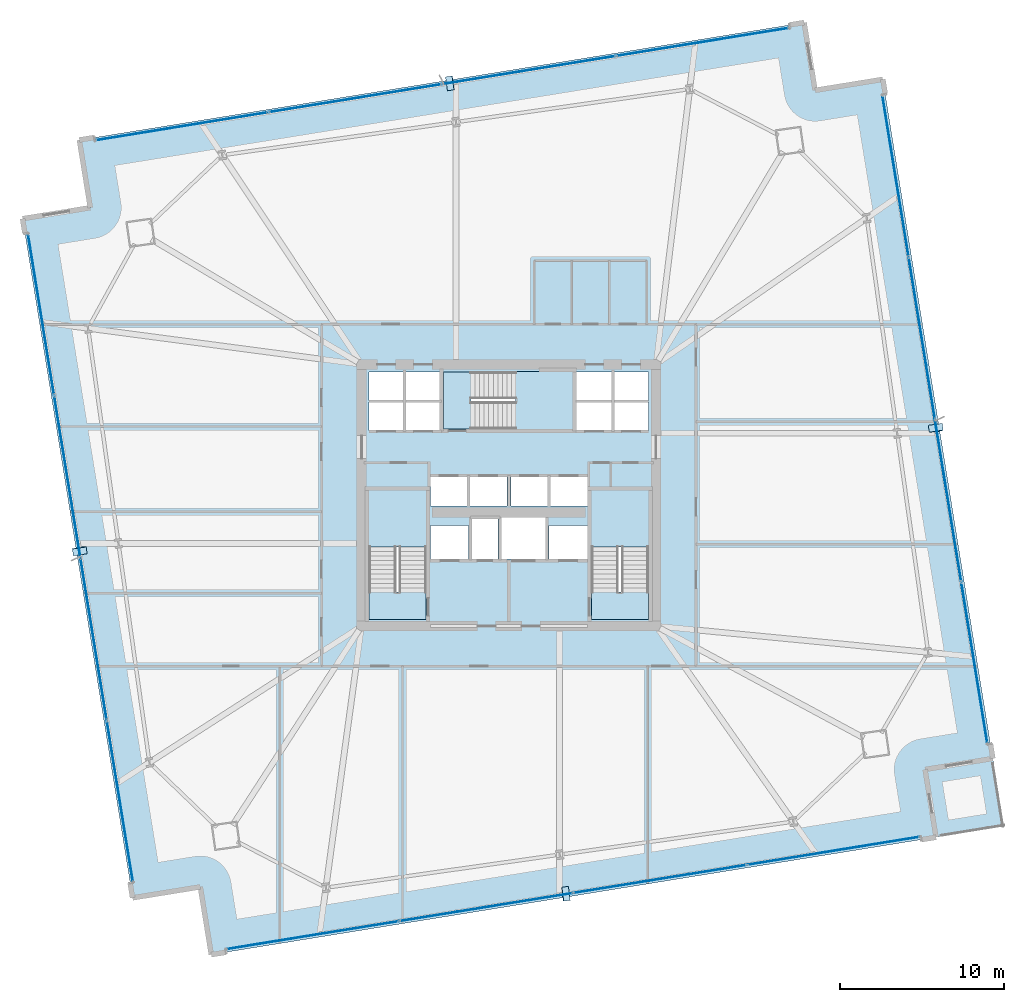
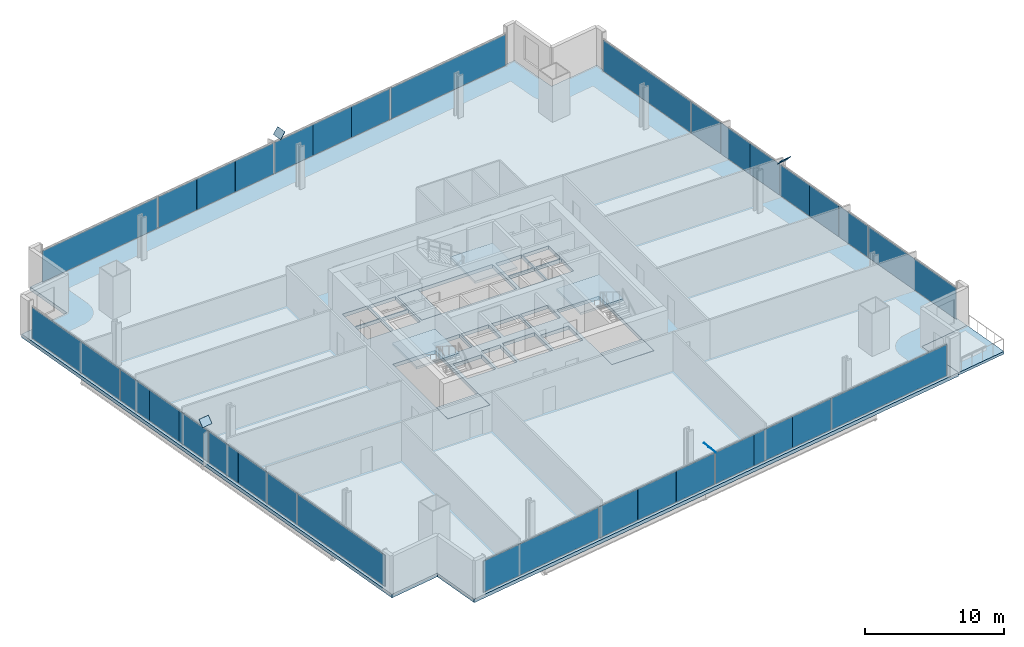
# One storey, part 24 of 33: 36 plates, 8 slabs, 7 elements without a shape of their own.
"""IFC4 building model written with IfcOpenShell, lengths in metres."""

from ifc_helpers import new_model, si_unit, direction, frame, origin, origin_2d, place, context, subcontext, project, spatial, polyline, rectangle, outline, extrude, source, transform, mapped, material, layer, layer_set, type_object, element, aggregate, save


model = new_model("IFC4")

# Units and contexts
model_context = context("Model", 3, precision=1e-05, world=origin(), true_north=direction((0.0, 1.0)))
body_context = subcontext(model_context, "Body", "Model", "MODEL_VIEW")
ifc_project = project(units=[si_unit("LENGTHUNIT", "METRE"), si_unit("AREAUNIT", "SQUARE_METRE"), si_unit("VOLUMEUNIT", "CUBIC_METRE"), si_unit("PLANEANGLEUNIT", "RADIAN"), si_unit("MASSUNIT", "GRAM", prefix="KILO")], contexts=[model_context])

# Site, building, storey
site_placement = place(None, origin())
site = spatial("IfcSite", under=ifc_project, at=site_placement, CompositionType="ELEMENT")
building_placement = place(site_placement, origin())
building = spatial("IfcBuilding", under=site, at=building_placement, Name="Haldenkirk Collegiate Tower", CompositionType="ELEMENT")
storey_placement = place(building_placement, frame((0.0, 0.0, 58.949951171875)))
storey = spatial("IfcBuildingStorey", under=building, at=storey_placement, Name="L13", CompositionType="ELEMENT", Elevation=58.949951171875)

# Slab
ifc_material_1 = material(Name="Concrete f'c 40 MPa", Category="concrete")
ifc_layer_1 = layer(ifc_material_1, 0.31005859375)
ifc_layer_set_1 = layer_set([ifc_layer_1], Name="Concrete f'c 40 MPa")
slab_type_1 = type_object("IfcSlabType", Name="SLB-FLR-310", PredefinedType="FLOOR", material=ifc_layer_set_1)
slab_1_placement = place(storey_placement, frame((0.0, 0.0, -0.31005859375)))
element("IfcSlab", 1, at=slab_1_placement, inside=storey, type_object=slab_type_1, Name="L13 composite structural floor slab", PredefinedType="FLOOR", context=body_context, shape_type="SweptSolid", body=[
    extrude(outline(polyline([(17.807861328125, -2.094970703125), (62.13037109375, 5.083740234375), (61.458740234375, 9.2294921875), (65.604736328125, 9.901123046875), (58.877685546875, 51.434814453125), (54.731689453125, 50.763427734375), (54.060302734375, 54.909423828125), (9.73779296875, 47.730712890625), (10.4091796875, 43.584716796875), (6.263427734375, 42.9130859375), (12.990478515625, 1.37939453125), (17.13623046875, 2.051025390625), (17.807861328125, -2.094970703125)]), holes=[polyline([(27.449951171875, 18.39990234375), (30.949951171875, 18.39990234375), (30.949951171875, 26.300048828125), (27.449951171875, 26.300048828125), (27.449951171875, 18.39990234375)]), polyline([(41.050048828125, 18.39990234375), (44.550048828125, 18.39990234375), (44.550048828125, 26.300048828125), (41.050048828125, 26.300048828125), (41.050048828125, 18.39990234375)]), polyline([(32.0, 30.050048828125), (39.89990234375, 30.050048828125), (39.89990234375, 33.550048828125), (32.0, 33.550048828125), (32.0, 30.050048828125)]), polyline([(33.75, 22.10009765625), (35.35009765625, 22.10009765625), (35.35009765625, 24.550048828125), (33.75, 24.550048828125), (33.75, 22.10009765625)]), polyline([(27.449951171875, 29.949951171875), (29.580078125, 29.949951171875), (29.580078125, 31.699951171875), (27.449951171875, 31.699951171875), (27.449951171875, 29.949951171875)]), polyline([(29.679931640625, 29.949951171875), (31.85009765625, 29.949951171875), (31.85009765625, 31.699951171875), (29.679931640625, 31.699951171875), (29.679931640625, 29.949951171875)]), polyline([(27.449951171875, 31.800048828125), (29.580078125, 31.800048828125), (29.580078125, 33.550048828125), (27.449951171875, 33.550048828125), (27.449951171875, 31.800048828125)]), polyline([(29.679931640625, 31.800048828125), (31.85009765625, 31.800048828125), (31.85009765625, 33.550048828125), (29.679931640625, 33.550048828125), (29.679931640625, 31.800048828125)]), polyline([(40.14990234375, 29.949951171875), (42.320068359375, 29.949951171875), (42.320068359375, 31.699951171875), (40.14990234375, 31.699951171875), (40.14990234375, 29.949951171875)]), polyline([(42.419921875, 29.949951171875), (44.550048828125, 29.949951171875), (44.550048828125, 31.699951171875), (42.419921875, 31.699951171875), (42.419921875, 29.949951171875)]), polyline([(40.14990234375, 31.800048828125), (42.320068359375, 31.800048828125), (42.320068359375, 33.550048828125), (40.14990234375, 33.550048828125), (40.14990234375, 31.800048828125)]), polyline([(42.419921875, 31.800048828125), (44.550048828125, 31.800048828125), (44.550048828125, 33.550048828125), (42.419921875, 33.550048828125), (42.419921875, 31.800048828125)]), polyline([(31.199951171875, 25.35009765625), (33.47998046875, 25.35009765625), (33.47998046875, 27.14990234375), (31.199951171875, 27.14990234375), (31.199951171875, 25.35009765625)]), polyline([(33.60009765625, 25.35009765625), (35.8798828125, 25.35009765625), (35.8798828125, 27.14990234375), (33.60009765625, 27.14990234375), (33.60009765625, 25.35009765625)]), polyline([(36.1201171875, 25.35009765625), (38.39990234375, 25.35009765625), (38.39990234375, 27.14990234375), (36.1201171875, 27.14990234375), (36.1201171875, 25.35009765625)]), polyline([(38.52001953125, 25.35009765625), (40.800048828125, 25.35009765625), (40.800048828125, 27.14990234375), (38.52001953125, 27.14990234375), (38.52001953125, 25.35009765625)]), polyline([(31.199951171875, 22.10009765625), (33.550048828125, 22.10009765625), (33.550048828125, 24.14990234375), (31.199951171875, 24.14990234375), (31.199951171875, 22.10009765625)]), polyline([(38.449951171875, 22.10009765625), (40.800048828125, 22.10009765625), (40.800048828125, 24.14990234375), (38.449951171875, 24.14990234375), (38.449951171875, 22.10009765625)]), polyline([(35.550048828125, 22.10009765625), (38.25, 22.10009765625), (38.25, 24.64990234375), (35.550048828125, 24.64990234375), (35.550048828125, 22.10009765625)])]), origin(), (0.0, 0.0, 1.0), 0.31005859375),
])

# Stair, slab
stair_type = type_object("IfcStairType", Name="STR-DOGLEG-1650", PredefinedType="HALF_TURN_STAIR", material=ifc_material_1)
stair_1_placement = place(storey_placement, origin())
stair_1 = element("IfcStair", 2, at=stair_1_placement, inside=storey, type_object=stair_type, Name="L13 Core Exit Stair ST-1", PredefinedType="HALF_TURN_STAIR")
ifc_layer_2 = layer(ifc_material_1, 0.199951171875)
ifc_layer_set_2 = layer_set([ifc_layer_2], Name="Concrete f'c 40 MPa")
slab_type_2 = type_object("IfcSlabType", Name="SLB-LANDING-200", PredefinedType="LANDING", material=ifc_layer_set_2)
slab_2_placement = place(storey_placement, frame((0.0, 0.0, 1.675048828125)))
slab_2 = element("IfcSlab", 3, at=slab_2_placement, type_object=slab_type_2, Name="ST-1 landing 1", PredefinedType="LANDING", context=body_context, shape_type="SweptSolid", body=[
    extrude(outline(polyline([(30.97509765625, 22.824951171875), (27.425048828125, 22.824951171875), (27.425048828125, 26.324951171875), (30.97509765625, 26.324951171875), (30.97509765625, 22.824951171875)])), origin(), (0.0, 0.0, 1.0), 0.199951171875),
])
aggregate(stair_1, [slab_2])

stair_2_placement = place(storey_placement, origin())
stair_2 = element("IfcStair", 4, at=stair_2_placement, inside=storey, type_object=stair_type, Name="L13 Core Exit Stair ST-2", PredefinedType="HALF_TURN_STAIR")
slab_3_placement = place(storey_placement, frame((0.0, 0.0, 1.675048828125)))
slab_3 = element("IfcSlab", 5, at=slab_3_placement, type_object=slab_type_2, Name="ST-2 landing 1", PredefinedType="LANDING", context=body_context, shape_type="SweptSolid", body=[
    extrude(outline(polyline([(44.574951171875, 22.824951171875), (41.02490234375, 22.824951171875), (41.02490234375, 26.324951171875), (44.574951171875, 26.324951171875), (44.574951171875, 22.824951171875)])), origin(), (0.0, 0.0, 1.0), 0.199951171875),
])
aggregate(stair_2, [slab_3])

stair_3_placement = place(storey_placement, origin())
stair_3 = element("IfcStair", 6, at=stair_3_placement, inside=storey, type_object=stair_type, Name="L13 Core Exit Stair ST-3", PredefinedType="HALF_TURN_STAIR")
slab_4_placement = place(storey_placement, frame((0.0, 0.0, 1.675048828125)))
slab_4 = element("IfcSlab", 7, at=slab_4_placement, type_object=slab_type_2, Name="ST-3 landing 1", PredefinedType="LANDING", context=body_context, shape_type="SweptSolid", body=[
    extrude(outline(polyline([(36.425048828125, 30.02490234375), (36.425048828125, 33.574951171875), (39.925048828125, 33.574951171875), (39.925048828125, 30.02490234375), (36.425048828125, 30.02490234375)])), origin(), (0.0, 0.0, 1.0), 0.199951171875),
])
aggregate(stair_3, [slab_4])

# Slabs
ifc_layer_3 = layer(ifc_material_1, 0.25)
ifc_layer_set_3 = layer_set([ifc_layer_3], Name="Concrete f'c 40 MPa")
slab_type_3 = type_object("IfcSlabType", Name="SLB-STAIRLAND-250", PredefinedType="LANDING", material=ifc_layer_set_3)
slab_5_placement = place(storey_placement, frame((0.0, 0.0, -0.25)))
element("IfcSlab", 8, at=slab_5_placement, inside=storey, type_object=slab_type_3, Name="L13 stair ST1 structural floor landing slab", PredefinedType="LANDING", context=body_context, shape_type="SweptSolid", body=[
    extrude(outline(polyline([(27.4599609375, 18.409912109375), (30.93994140625, 18.409912109375), (30.93994140625, 20.080078125), (27.4599609375, 20.080078125), (27.4599609375, 18.409912109375)])), origin(), (0.0, 0.0, 1.0), 0.25),
])
slab_6_placement = place(storey_placement, frame((0.0, 0.0, -0.25)))
element("IfcSlab", 9, at=slab_6_placement, inside=storey, type_object=slab_type_3, Name="L13 stair ST2 structural floor landing slab", PredefinedType="LANDING", context=body_context, shape_type="SweptSolid", body=[
    extrude(outline(polyline([(41.06005859375, 18.409912109375), (44.5400390625, 18.409912109375), (44.5400390625, 20.080078125), (41.06005859375, 20.080078125), (41.06005859375, 18.409912109375)])), origin(), (0.0, 0.0, 1.0), 0.25),
])
slab_7_placement = place(storey_placement, frame((0.0, 0.0, -0.25)))
element("IfcSlab", 10, at=slab_7_placement, inside=storey, type_object=slab_type_3, Name="L13 stair ST3 structural floor landing slab", PredefinedType="LANDING", context=body_context, shape_type="SweptSolid", body=[
    extrude(outline(polyline([(32.010009765625, 30.06005859375), (33.679931640625, 30.06005859375), (33.679931640625, 33.5400390625), (32.010009765625, 33.5400390625), (32.010009765625, 30.06005859375)])), origin(), (0.0, 0.0, 1.0), 0.25),
])
ifc_layer_4 = layer(ifc_material_1, 0.22998046875)
ifc_layer_set_4 = layer_set([ifc_layer_4], Name="Concrete f'c 40 MPa")
slab_type_4 = type_object("IfcSlabType", Name="SLB-TERR-SPIRAL-230", PredefinedType="FLOOR", material=ifc_layer_set_4)
slab_8_placement = place(storey_placement, frame((0.0, 0.0, -0.22998046875)))
element("IfcSlab", 11, at=slab_8_placement, inside=storey, type_object=slab_type_4, Name="L13 spiralling corner terrace slab", PredefinedType="FLOOR", context=body_context, shape_type="SweptSolid", body=[
    extrude(outline(polyline([(62.13037109375, 5.083740234375), (66.276123046875, 5.755126953125), (65.604736328125, 9.901123046875), (61.458740234375, 9.2294921875), (62.13037109375, 5.083740234375)])), origin(), (0.0, 0.0, 1.0), 0.22998046875),
])

# Plates
ifc_material_2 = material(Name="Steel ASTM A572 Grade 50", Category="steel")
ifc_layer_5 = layer(ifc_material_2, 0.034912109375)
ifc_layer_set_5 = layer_set([ifc_layer_5], Name="Steel ASTM A572 Grade 50")
plate_type_1 = type_object("IfcPlateType", Name="PLT-CAP-EXT-760X600", PredefinedType="USERDEFINED", material=ifc_layer_set_5)
shared_shape_1 = source(origin(), body_context, "Body", "SweptSolid", [
    extrude(rectangle(XDim=0.860107421875, YDim=0.659912109375, at=origin_2d()), origin(), (0.0, 0.0, 1.0), 0.034912109375),
])
for number, where, z_axis, x_axis, name in (
    (12, (39.476318359375, 1.623291015625, 3.42822265625), (0.783543910505, 0.103709988154, 0.612619930028), (-0.131215459575, 0.991353873835, -3.65967e-07), "Perimeter Mega Brace Z1 L11-L13 SL end cap plate 2"),
    (13, (62.1181640625, 30.101318359375, 3.42822265625), (-0.112517973701, 0.760023822359, 0.640080850394), (-0.989218208504, -0.146449090011, -4.8741e-08), "Perimeter Mega Brace Z1 L11-L13 EL end cap plate 2"),
    (14, (32.415771484375, 51.196044921875, 3.42822265625), (-0.782214812884, -0.113088972948, 0.612658853444), (0.143087420195, -0.989710053592, -3.16429e-07), "Perimeter Mega Brace Z1 L11-L13 NL end cap plate 2"),
    (15, (9.755126953125, 22.5927734375, 3.42822265625), (0.110115944435, -0.760269616366, 0.64020667695), (0.989673186769, 0.143342189846, -1.34269e-07), "Perimeter Mega Brace Z1 L11-L13 WL end cap plate 2"),
):
    element("IfcPlate", number, at=place(storey_placement, frame(where, z_axis=z_axis, x_axis=x_axis)), inside=storey, type_object=plate_type_1, Name=name, ObjectType="END CAP PLATE", PredefinedType="USERDEFINED", context=body_context, shape_type="MappedRepresentation", body=[
        mapped(shared_shape_1, transform((0.0, 0.0, 0.0), x_axis=(1.0, 0.0, 0.0), y_axis=(0.0, 1.0, 0.0), z_axis=(0.0, 0.0, 1.0), scale=1.0)),
    ])

# Curtain wall, plates
ifc_material_3 = material(Name="Anodised architectural bronze aluminium", Category="aluminium")
curtain_wall_type_1 = type_object("IfcCurtainWallType", Name="CW-SYS2-CONCAVE", PredefinedType="USERDEFINED", material=ifc_material_3)
curtain_wall_1_placement = place(storey_placement, origin())
curtain_wall_1 = element("IfcCurtainWall", 16, at=curtain_wall_1_placement, inside=storey, type_object=curtain_wall_type_1, Name="L13 South concave recessed bronze-anodised curtain wall", ObjectType="UNITISED CURTAIN WALL", PredefinedType="USERDEFINED")
ifc_material_4 = material(Name="Low-E argon triple insulating glass", Category="glass")
ifc_layer_6 = layer(ifc_material_4, 0.0419921875)
ifc_layer_set_6 = layer_set([ifc_layer_6], Name="Low-E argon triple insulating glass")
plate_type_2 = type_object("IfcPlateType", Name="CW-PNL-02", PredefinedType="CURTAIN_PANEL", material=ifc_layer_set_6)
shared_shape_2 = source(origin(), body_context, "Body", "SweptSolid", [
    extrude(rectangle(XDim=10.66259765625, YDim=0.0419921875, at=origin_2d()), origin(), (0.0, 0.0, 1.0), 2.740966796875),
])
plate_1_placement = place(storey_placement, frame((55.87646484375, 4.253173828125, 0.0751953125), z_axis=(0.0, 0.0, 1.0), x_axis=(-0.987136264177, -0.159881193222, 0.0)))
plate_1 = element("IfcPlate", 17, at=plate_1_placement, type_object=plate_type_2, Name="CW-02 panel 1.1", PredefinedType="CURTAIN_PANEL", context=body_context, shape_type="MappedRepresentation", body=[
    mapped(shared_shape_2, transform((0.0, 0.0, 0.0), x_axis=(1.0, 0.0, 0.0), y_axis=(0.0, 1.0, 0.0), z_axis=(0.0, 0.0, 1.0), scale=1.0)),
])
plate_2_placement = place(storey_placement, frame((24.004150390625, -0.908935546875, 0.0751953125), z_axis=(0.0, 0.0, 1.0), x_axis=(-0.987136264177, -0.159881193222, 0.0)))
plate_2 = element("IfcPlate", 18, at=plate_2_placement, type_object=plate_type_2, Name="CW-02 panel 4.1", PredefinedType="CURTAIN_PANEL", context=body_context, shape_type="MappedRepresentation", body=[
    mapped(shared_shape_2, transform((0.0, 0.0, 0.0), x_axis=(1.0, 0.0, 0.0), y_axis=(0.0, 1.0, 0.0), z_axis=(0.0, 0.0, 1.0), scale=1.0)),
])
shared_shape_3 = source(origin(), body_context, "Body", "SweptSolid", [
    extrude(rectangle(XDim=3.55419921875, YDim=0.0419921875, at=origin_2d()), origin(), (0.0, 0.0, 1.0), 2.740966796875),
])
plate_3_placement = place(storey_placement, frame((48.785400390625, 3.104736328125, 0.0751953125), z_axis=(0.0, 0.0, 1.0), x_axis=(-0.987136264177, -0.159881193222, 0.0)))
plate_3 = element("IfcPlate", 19, at=plate_3_placement, type_object=plate_type_2, Name="CW-02 panel 2.1a", PredefinedType="CURTAIN_PANEL", context=body_context, shape_type="MappedRepresentation", body=[
    mapped(shared_shape_3, transform((0.0, 0.0, 0.0), x_axis=(1.0, 0.0, 0.0), y_axis=(0.0, 1.0, 0.0), z_axis=(0.0, 0.0, 1.0), scale=1.0)),
])
ifc_material_5 = material(Name="Bronze-anodised insulated aluminium spandrel panel", Category="aluminium")
ifc_layer_7 = layer(ifc_material_5, 0.0419921875)
ifc_layer_set_7 = layer_set([ifc_layer_7], Name="Bronze-anodised insulated aluminium spandrel panel")
plate_type_3 = type_object("IfcPlateType", Name="CW-SPD-02", PredefinedType="CURTAIN_PANEL", material=ifc_layer_set_7)
plate_4_placement = place(storey_placement, frame((41.7314453125, 1.962158203125, 0.0751953125), z_axis=(0.0, 0.0, 1.0), x_axis=(-0.987136264177, -0.159881193222, 0.0)))
plate_4 = element("IfcPlate", 20, at=plate_4_placement, type_object=plate_type_3, Name="CW-02 spandrel panel 2.1c", PredefinedType="CURTAIN_PANEL", context=body_context, shape_type="MappedRepresentation", body=[
    mapped(shared_shape_3, transform((0.0, 0.0, 0.0), x_axis=(1.0, 0.0, 0.0), y_axis=(0.0, 1.0, 0.0), z_axis=(0.0, 0.0, 1.0), scale=1.0)),
])
plate_5_placement = place(storey_placement, frame((38.14892578125, 1.3818359375, 0.0751953125), z_axis=(0.0, 0.0, 1.0), x_axis=(-0.987136264177, -0.159881193222, 0.0)))
plate_5 = element("IfcPlate", 21, at=plate_5_placement, type_object=plate_type_3, Name="CW-02 spandrel panel 3.1a", PredefinedType="CURTAIN_PANEL", context=body_context, shape_type="MappedRepresentation", body=[
    mapped(shared_shape_3, transform((0.0, 0.0, 0.0), x_axis=(1.0, 0.0, 0.0), y_axis=(0.0, 1.0, 0.0), z_axis=(0.0, 0.0, 1.0), scale=1.0)),
])
plate_6_placement = place(storey_placement, frame((31.09521484375, 0.239501953125, 0.0751953125), z_axis=(0.0, 0.0, 1.0), x_axis=(-0.987136264177, -0.159881193222, 0.0)))
plate_6 = element("IfcPlate", 22, at=plate_6_placement, type_object=plate_type_2, Name="CW-02 panel 3.1c", PredefinedType="CURTAIN_PANEL", context=body_context, shape_type="MappedRepresentation", body=[
    mapped(shared_shape_3, transform((0.0, 0.0, 0.0), x_axis=(1.0, 0.0, 0.0), y_axis=(0.0, 1.0, 0.0), z_axis=(0.0, 0.0, 1.0), scale=1.0)),
])
shared_shape_4 = source(origin(), body_context, "Body", "SweptSolid", [
    extrude(rectangle(XDim=3.541748046875, YDim=0.0419921875, at=origin_2d()), origin(), (0.0, 0.0, 1.0), 2.740966796875),
])
plate_7_placement = place(storey_placement, frame((45.258544921875, 2.533447265625, 0.0751953125), z_axis=(0.0, 0.0, 1.0), x_axis=(-0.987136264177, -0.159881193222, 0.0)))
plate_7 = element("IfcPlate", 23, at=plate_7_placement, type_object=plate_type_3, Name="CW-02 spandrel panel 2.1b", PredefinedType="CURTAIN_PANEL", context=body_context, shape_type="MappedRepresentation", body=[
    mapped(shared_shape_4, transform((0.0, 0.0, 0.0), x_axis=(1.0, 0.0, 0.0), y_axis=(0.0, 1.0, 0.0), z_axis=(0.0, 0.0, 1.0), scale=1.0)),
])
plate_8_placement = place(storey_placement, frame((34.6220703125, 0.810791015625, 0.0751953125), z_axis=(0.0, 0.0, 1.0), x_axis=(-0.987136264177, -0.159881193222, 0.0)))
plate_8 = element("IfcPlate", 24, at=plate_8_placement, type_object=plate_type_3, Name="CW-02 spandrel panel 3.1b", PredefinedType="CURTAIN_PANEL", context=body_context, shape_type="MappedRepresentation", body=[
    mapped(shared_shape_4, transform((0.0, 0.0, 0.0), x_axis=(1.0, 0.0, 0.0), y_axis=(0.0, 1.0, 0.0), z_axis=(0.0, 0.0, 1.0), scale=1.0)),
])
aggregate(curtain_wall_1, [plate_1, plate_3, plate_7, plate_4, plate_5, plate_8, plate_6, plate_2])

curtain_wall_type_2 = type_object("IfcCurtainWallType", Name="CW-SYS1-CONVEX-LOW", PredefinedType="USERDEFINED", material=ifc_material_3)
curtain_wall_2_placement = place(storey_placement, origin())
curtain_wall_2 = element("IfcCurtainWall", 25, at=curtain_wall_2_placement, inside=storey, type_object=curtain_wall_type_2, Name="L13 Lower tower convex bronze-framed unitised curtain wall", ObjectType="UNITISED CURTAIN WALL", PredefinedType="USERDEFINED")
ifc_layer_8 = layer(ifc_material_4, 0.0439453125)
ifc_layer_set_8 = layer_set([ifc_layer_8], Name="Low-E argon triple insulating glass")
plate_type_4 = type_object("IfcPlateType", Name="CW-PNL-1A", PredefinedType="CURTAIN_PANEL", material=ifc_layer_set_8)
shared_shape_5 = source(origin(), body_context, "Body", "SweptSolid", [
    extrude(rectangle(XDim=9.94873046875, YDim=0.0439453125, at=origin_2d()), origin(), (0.0, 0.0, 1.0), 2.73095703125),
])
plate_9_placement = place(storey_placement, frame((59.652099609375, 45.5283203125, 0.080078125), z_axis=(0.0, 0.0, 1.0), x_axis=(0.159880488152, -0.987136378374, 0.0)))
plate_9 = element("IfcPlate", 26, at=plate_9_placement, type_object=plate_type_4, Name="CW-1A panel 1.1", PredefinedType="CURTAIN_PANEL", context=body_context, shape_type="MappedRepresentation", body=[
    mapped(shared_shape_5, transform((0.0, 0.0, 0.0), x_axis=(1.0, 0.0, 0.0), y_axis=(0.0, 1.0, 0.0), z_axis=(0.0, 0.0, 1.0), scale=1.0)),
])
plate_10_placement = place(storey_placement, frame((64.47509765625, 15.75, 0.080078125), z_axis=(0.0, 0.0, 1.0), x_axis=(0.159880488152, -0.987136378374, 0.0)))
plate_10 = element("IfcPlate", 27, at=plate_10_placement, type_object=plate_type_4, Name="CW-1A panel 4.1", PredefinedType="CURTAIN_PANEL", context=body_context, shape_type="MappedRepresentation", body=[
    mapped(shared_shape_5, transform((0.0, 0.0, 0.0), x_axis=(1.0, 0.0, 0.0), y_axis=(0.0, 1.0, 0.0), z_axis=(0.0, 0.0, 1.0), scale=1.0)),
])

curtain_wall_3_placement = place(storey_placement, origin())
curtain_wall_3 = element("IfcCurtainWall", 28, at=curtain_wall_3_placement, inside=storey, type_object=curtain_wall_type_2, Name="L13 Lower tower convex bronze-framed unitised curtain wall", ObjectType="UNITISED CURTAIN WALL", PredefinedType="USERDEFINED")
plate_11_placement = place(storey_placement, frame((12.216064453125, 7.2861328125, 0.080078125), z_axis=(0.0, 0.0, 1.0), x_axis=(-0.15988088002, 0.987136314905, 0.0)))
plate_11 = element("IfcPlate", 29, at=plate_11_placement, type_object=plate_type_4, Name="CW-1A panel 1.1", PredefinedType="CURTAIN_PANEL", context=body_context, shape_type="MappedRepresentation", body=[
    mapped(shared_shape_5, transform((0.0, 0.0, 0.0), x_axis=(1.0, 0.0, 0.0), y_axis=(0.0, 1.0, 0.0), z_axis=(0.0, 0.0, 1.0), scale=1.0)),
])
plate_12_placement = place(storey_placement, frame((7.39306640625, 37.064208984375, 0.080078125), z_axis=(0.0, 0.0, 1.0), x_axis=(-0.15988088002, 0.987136314905, 0.0)))
plate_12 = element("IfcPlate", 30, at=plate_12_placement, type_object=plate_type_4, Name="CW-1A panel 4.1", PredefinedType="CURTAIN_PANEL", context=body_context, shape_type="MappedRepresentation", body=[
    mapped(shared_shape_5, transform((0.0, 0.0, 0.0), x_axis=(1.0, 0.0, 0.0), y_axis=(0.0, 1.0, 0.0), z_axis=(0.0, 0.0, 1.0), scale=1.0)),
])

# Plate
shared_shape_6 = source(origin(), body_context, "Body", "SweptSolid", [
    extrude(rectangle(XDim=3.317138671875, YDim=0.0439453125, at=origin_2d()), origin(), (0.0, 0.0, 1.0), 2.73095703125),
])
plate_13_placement = place(storey_placement, frame((60.725341796875, 38.90185546875, 0.080078125), z_axis=(0.0, 0.0, 1.0), x_axis=(0.159880488152, -0.987136378374, 0.0)))
plate_13 = element("IfcPlate", 31, at=plate_13_placement, type_object=plate_type_4, Name="CW-1A panel 2.1a", PredefinedType="CURTAIN_PANEL", context=body_context, shape_type="MappedRepresentation", body=[
    mapped(shared_shape_6, transform((0.0, 0.0, 0.0), x_axis=(1.0, 0.0, 0.0), y_axis=(0.0, 1.0, 0.0), z_axis=(0.0, 0.0, 1.0), scale=1.0)),
])

ifc_layer_9 = layer(ifc_material_5, 0.0439453125)
ifc_layer_set_9 = layer_set([ifc_layer_9], Name="Bronze-anodised insulated aluminium spandrel panel")
plate_type_5 = type_object("IfcPlateType", Name="CW-SPD-1A", PredefinedType="CURTAIN_PANEL", material=ifc_layer_set_9)
plate_14_placement = place(storey_placement, frame((61.7919921875, 32.31591796875, 0.080078125), z_axis=(0.0, 0.0, 1.0), x_axis=(0.159880488152, -0.987136378374, 0.0)))
plate_14 = element("IfcPlate", 32, at=plate_14_placement, type_object=plate_type_5, Name="CW-1A spandrel panel 2.1c", PredefinedType="CURTAIN_PANEL", context=body_context, shape_type="MappedRepresentation", body=[
    mapped(shared_shape_6, transform((0.0, 0.0, 0.0), x_axis=(1.0, 0.0, 0.0), y_axis=(0.0, 1.0, 0.0), z_axis=(0.0, 0.0, 1.0), scale=1.0)),
])

plate_15_placement = place(storey_placement, frame((62.335205078125, 28.96240234375, 0.080078125), z_axis=(0.0, 0.0, 1.0), x_axis=(0.159880488152, -0.987136378374, 0.0)))
plate_15 = element("IfcPlate", 33, at=plate_15_placement, type_object=plate_type_5, Name="CW-1A spandrel panel 3.1a", PredefinedType="CURTAIN_PANEL", context=body_context, shape_type="MappedRepresentation", body=[
    mapped(shared_shape_6, transform((0.0, 0.0, 0.0), x_axis=(1.0, 0.0, 0.0), y_axis=(0.0, 1.0, 0.0), z_axis=(0.0, 0.0, 1.0), scale=1.0)),
])

plate_16_placement = place(storey_placement, frame((63.401611328125, 22.376708984375, 0.080078125), z_axis=(0.0, 0.0, 1.0), x_axis=(0.159880488152, -0.987136378374, 0.0)))
plate_16 = element("IfcPlate", 34, at=plate_16_placement, type_object=plate_type_4, Name="CW-1A panel 3.1c", PredefinedType="CURTAIN_PANEL", context=body_context, shape_type="MappedRepresentation", body=[
    mapped(shared_shape_6, transform((0.0, 0.0, 0.0), x_axis=(1.0, 0.0, 0.0), y_axis=(0.0, 1.0, 0.0), z_axis=(0.0, 0.0, 1.0), scale=1.0)),
])

plate_17_placement = place(storey_placement, frame((11.142822265625, 13.91259765625, 0.080078125), z_axis=(0.0, 0.0, 1.0), x_axis=(-0.15988088002, 0.987136314905, 0.0)))
plate_17 = element("IfcPlate", 35, at=plate_17_placement, type_object=plate_type_4, Name="CW-1A panel 2.1a", PredefinedType="CURTAIN_PANEL", context=body_context, shape_type="MappedRepresentation", body=[
    mapped(shared_shape_6, transform((0.0, 0.0, 0.0), x_axis=(1.0, 0.0, 0.0), y_axis=(0.0, 1.0, 0.0), z_axis=(0.0, 0.0, 1.0), scale=1.0)),
])

plate_18_placement = place(storey_placement, frame((10.076171875, 20.49853515625, 0.080078125), z_axis=(0.0, 0.0, 1.0), x_axis=(-0.15988088002, 0.987136314905, 0.0)))
plate_18 = element("IfcPlate", 36, at=plate_18_placement, type_object=plate_type_5, Name="CW-1A spandrel panel 2.1c", PredefinedType="CURTAIN_PANEL", context=body_context, shape_type="MappedRepresentation", body=[
    mapped(shared_shape_6, transform((0.0, 0.0, 0.0), x_axis=(1.0, 0.0, 0.0), y_axis=(0.0, 1.0, 0.0), z_axis=(0.0, 0.0, 1.0), scale=1.0)),
])

plate_19_placement = place(storey_placement, frame((9.532958984375, 23.851806640625, 0.080078125), z_axis=(0.0, 0.0, 1.0), x_axis=(-0.15988088002, 0.987136314905, 0.0)))
plate_19 = element("IfcPlate", 37, at=plate_19_placement, type_object=plate_type_5, Name="CW-1A spandrel panel 3.1a", PredefinedType="CURTAIN_PANEL", context=body_context, shape_type="MappedRepresentation", body=[
    mapped(shared_shape_6, transform((0.0, 0.0, 0.0), x_axis=(1.0, 0.0, 0.0), y_axis=(0.0, 1.0, 0.0), z_axis=(0.0, 0.0, 1.0), scale=1.0)),
])

plate_20_placement = place(storey_placement, frame((8.46630859375, 30.437744140625, 0.080078125), z_axis=(0.0, 0.0, 1.0), x_axis=(-0.15988088002, 0.987136314905, 0.0)))
plate_20 = element("IfcPlate", 38, at=plate_20_placement, type_object=plate_type_4, Name="CW-1A panel 3.1c", PredefinedType="CURTAIN_PANEL", context=body_context, shape_type="MappedRepresentation", body=[
    mapped(shared_shape_6, transform((0.0, 0.0, 0.0), x_axis=(1.0, 0.0, 0.0), y_axis=(0.0, 1.0, 0.0), z_axis=(0.0, 0.0, 1.0), scale=1.0)),
])

shared_shape_7 = source(origin(), body_context, "Body", "SweptSolid", [
    extrude(rectangle(XDim=3.3046875, YDim=0.0439453125, at=origin_2d()), origin(), (0.0, 0.0, 1.0), 2.73095703125),
])
plate_21_placement = place(storey_placement, frame((61.258544921875, 35.60888671875, 0.080078125), z_axis=(0.0, 0.0, 1.0), x_axis=(0.159880488152, -0.987136378374, 0.0)))
plate_21 = element("IfcPlate", 39, at=plate_21_placement, type_object=plate_type_5, Name="CW-1A spandrel panel 2.1b", PredefinedType="CURTAIN_PANEL", context=body_context, shape_type="MappedRepresentation", body=[
    mapped(shared_shape_7, transform((0.0, 0.0, 0.0), x_axis=(1.0, 0.0, 0.0), y_axis=(0.0, 1.0, 0.0), z_axis=(0.0, 0.0, 1.0), scale=1.0)),
])

plate_22_placement = place(storey_placement, frame((62.868408203125, 25.669677734375, 0.080078125), z_axis=(0.0, 0.0, 1.0), x_axis=(0.159880488152, -0.987136378374, 0.0)))
plate_22 = element("IfcPlate", 40, at=plate_22_placement, type_object=plate_type_5, Name="CW-1A spandrel panel 3.1b", PredefinedType="CURTAIN_PANEL", context=body_context, shape_type="MappedRepresentation", body=[
    mapped(shared_shape_7, transform((0.0, 0.0, 0.0), x_axis=(1.0, 0.0, 0.0), y_axis=(0.0, 1.0, 0.0), z_axis=(0.0, 0.0, 1.0), scale=1.0)),
])

aggregate(curtain_wall_2, [plate_9, plate_13, plate_21, plate_14, plate_15, plate_22, plate_16, plate_10])

plate_23_placement = place(storey_placement, frame((10.609619140625, 17.20556640625, 0.080078125), z_axis=(0.0, 0.0, 1.0), x_axis=(-0.15988088002, 0.987136314905, 0.0)))
plate_23 = element("IfcPlate", 41, at=plate_23_placement, type_object=plate_type_5, Name="CW-1A spandrel panel 2.1b", PredefinedType="CURTAIN_PANEL", context=body_context, shape_type="MappedRepresentation", body=[
    mapped(shared_shape_7, transform((0.0, 0.0, 0.0), x_axis=(1.0, 0.0, 0.0), y_axis=(0.0, 1.0, 0.0), z_axis=(0.0, 0.0, 1.0), scale=1.0)),
])

plate_24_placement = place(storey_placement, frame((8.999755859375, 27.144775390625, 0.080078125), z_axis=(0.0, 0.0, 1.0), x_axis=(-0.15988088002, 0.987136314905, 0.0)))
plate_24 = element("IfcPlate", 42, at=plate_24_placement, type_object=plate_type_5, Name="CW-1A spandrel panel 3.1b", PredefinedType="CURTAIN_PANEL", context=body_context, shape_type="MappedRepresentation", body=[
    mapped(shared_shape_7, transform((0.0, 0.0, 0.0), x_axis=(1.0, 0.0, 0.0), y_axis=(0.0, 1.0, 0.0), z_axis=(0.0, 0.0, 1.0), scale=1.0)),
])

aggregate(curtain_wall_3, [plate_11, plate_17, plate_23, plate_18, plate_19, plate_24, plate_20, plate_12])

# Curtain wall, plates
curtain_wall_4_placement = place(storey_placement, origin())
curtain_wall_4 = element("IfcCurtainWall", 43, at=curtain_wall_4_placement, inside=storey, type_object=curtain_wall_type_2, Name="L13 Lower tower convex bronze-framed unitised curtain wall", ObjectType="UNITISED CURTAIN WALL", PredefinedType="USERDEFINED")
shared_shape_8 = source(origin(), body_context, "Body", "SweptSolid", [
    extrude(rectangle(XDim=10.655029296875, YDim=0.0439453125, at=origin_2d()), origin(), (0.0, 0.0, 1.0), 2.73095703125),
])
plate_25_placement = place(storey_placement, frame((15.992919921875, 48.5615234375, 0.080078125), z_axis=(0.0, 0.0, 1.0), x_axis=(0.987136264177, 0.159881193222, 0.0)))
plate_25 = element("IfcPlate", 44, at=plate_25_placement, type_object=plate_type_4, Name="CW-1A panel 1.1", PredefinedType="CURTAIN_PANEL", context=body_context, shape_type="MappedRepresentation", body=[
    mapped(shared_shape_8, transform((0.0, 0.0, 0.0), x_axis=(1.0, 0.0, 0.0), y_axis=(0.0, 1.0, 0.0), z_axis=(0.0, 0.0, 1.0), scale=1.0)),
])
plate_26_placement = place(storey_placement, frame((47.86279296875, 53.72314453125, 0.080078125), z_axis=(0.0, 0.0, 1.0), x_axis=(0.987136264177, 0.159881193222, 0.0)))
plate_26 = element("IfcPlate", 45, at=plate_26_placement, type_object=plate_type_4, Name="CW-1A panel 4.1", PredefinedType="CURTAIN_PANEL", context=body_context, shape_type="MappedRepresentation", body=[
    mapped(shared_shape_8, transform((0.0, 0.0, 0.0), x_axis=(1.0, 0.0, 0.0), y_axis=(0.0, 1.0, 0.0), z_axis=(0.0, 0.0, 1.0), scale=1.0)),
])
shared_shape_9 = source(origin(), body_context, "Body", "SweptSolid", [
    extrude(rectangle(XDim=3.552490234375, YDim=0.0439453125, at=origin_2d()), origin(), (0.0, 0.0, 1.0), 2.73095703125),
])
plate_27_placement = place(storey_placement, frame((23.084228515625, 49.7099609375, 0.080078125), z_axis=(0.0, 0.0, 1.0), x_axis=(0.987136264177, 0.159881193222, 0.0)))
plate_27 = element("IfcPlate", 46, at=plate_27_placement, type_object=plate_type_4, Name="CW-1A panel 2.1a", PredefinedType="CURTAIN_PANEL", context=body_context, shape_type="MappedRepresentation", body=[
    mapped(shared_shape_9, transform((0.0, 0.0, 0.0), x_axis=(1.0, 0.0, 0.0), y_axis=(0.0, 1.0, 0.0), z_axis=(0.0, 0.0, 1.0), scale=1.0)),
])
plate_28_placement = place(storey_placement, frame((30.135009765625, 50.85205078125, 0.080078125), z_axis=(0.0, 0.0, 1.0), x_axis=(0.987136264177, 0.159881193222, 0.0)))
plate_28 = element("IfcPlate", 47, at=plate_28_placement, type_object=plate_type_5, Name="CW-1A spandrel panel 2.1c", PredefinedType="CURTAIN_PANEL", context=body_context, shape_type="MappedRepresentation", body=[
    mapped(shared_shape_9, transform((0.0, 0.0, 0.0), x_axis=(1.0, 0.0, 0.0), y_axis=(0.0, 1.0, 0.0), z_axis=(0.0, 0.0, 1.0), scale=1.0)),
])
plate_29_placement = place(storey_placement, frame((33.720703125, 51.4326171875, 0.080078125), z_axis=(0.0, 0.0, 1.0), x_axis=(0.987136264177, 0.159881193222, 0.0)))
plate_29 = element("IfcPlate", 48, at=plate_29_placement, type_object=plate_type_5, Name="CW-1A spandrel panel 3.1a", PredefinedType="CURTAIN_PANEL", context=body_context, shape_type="MappedRepresentation", body=[
    mapped(shared_shape_9, transform((0.0, 0.0, 0.0), x_axis=(1.0, 0.0, 0.0), y_axis=(0.0, 1.0, 0.0), z_axis=(0.0, 0.0, 1.0), scale=1.0)),
])
plate_30_placement = place(storey_placement, frame((40.771484375, 52.57470703125, 0.080078125), z_axis=(0.0, 0.0, 1.0), x_axis=(0.987136264177, 0.159881193222, 0.0)))
plate_30 = element("IfcPlate", 49, at=plate_30_placement, type_object=plate_type_4, Name="CW-1A panel 3.1c", PredefinedType="CURTAIN_PANEL", context=body_context, shape_type="MappedRepresentation", body=[
    mapped(shared_shape_9, transform((0.0, 0.0, 0.0), x_axis=(1.0, 0.0, 0.0), y_axis=(0.0, 1.0, 0.0), z_axis=(0.0, 0.0, 1.0), scale=1.0)),
])
shared_shape_10 = source(origin(), body_context, "Body", "SweptSolid", [
    extrude(rectangle(XDim=3.5400390625, YDim=0.0439453125, at=origin_2d()), origin(), (0.0, 0.0, 1.0), 2.73095703125),
])
plate_31_placement = place(storey_placement, frame((26.609619140625, 50.281005859375, 0.080078125), z_axis=(0.0, 0.0, 1.0), x_axis=(0.987136264177, 0.159881193222, 0.0)))
plate_31 = element("IfcPlate", 50, at=plate_31_placement, type_object=plate_type_5, Name="CW-1A spandrel panel 2.1b", PredefinedType="CURTAIN_PANEL", context=body_context, shape_type="MappedRepresentation", body=[
    mapped(shared_shape_10, transform((0.0, 0.0, 0.0), x_axis=(1.0, 0.0, 0.0), y_axis=(0.0, 1.0, 0.0), z_axis=(0.0, 0.0, 1.0), scale=1.0)),
])
plate_32_placement = place(storey_placement, frame((37.24609375, 52.003662109375, 0.080078125), z_axis=(0.0, 0.0, 1.0), x_axis=(0.987136264177, 0.159881193222, 0.0)))
plate_32 = element("IfcPlate", 51, at=plate_32_placement, type_object=plate_type_5, Name="CW-1A spandrel panel 3.1b", PredefinedType="CURTAIN_PANEL", context=body_context, shape_type="MappedRepresentation", body=[
    mapped(shared_shape_10, transform((0.0, 0.0, 0.0), x_axis=(1.0, 0.0, 0.0), y_axis=(0.0, 1.0, 0.0), z_axis=(0.0, 0.0, 1.0), scale=1.0)),
])
aggregate(curtain_wall_4, [plate_25, plate_27, plate_31, plate_28, plate_29, plate_32, plate_30, plate_26])

save(model, "model.ifc")
